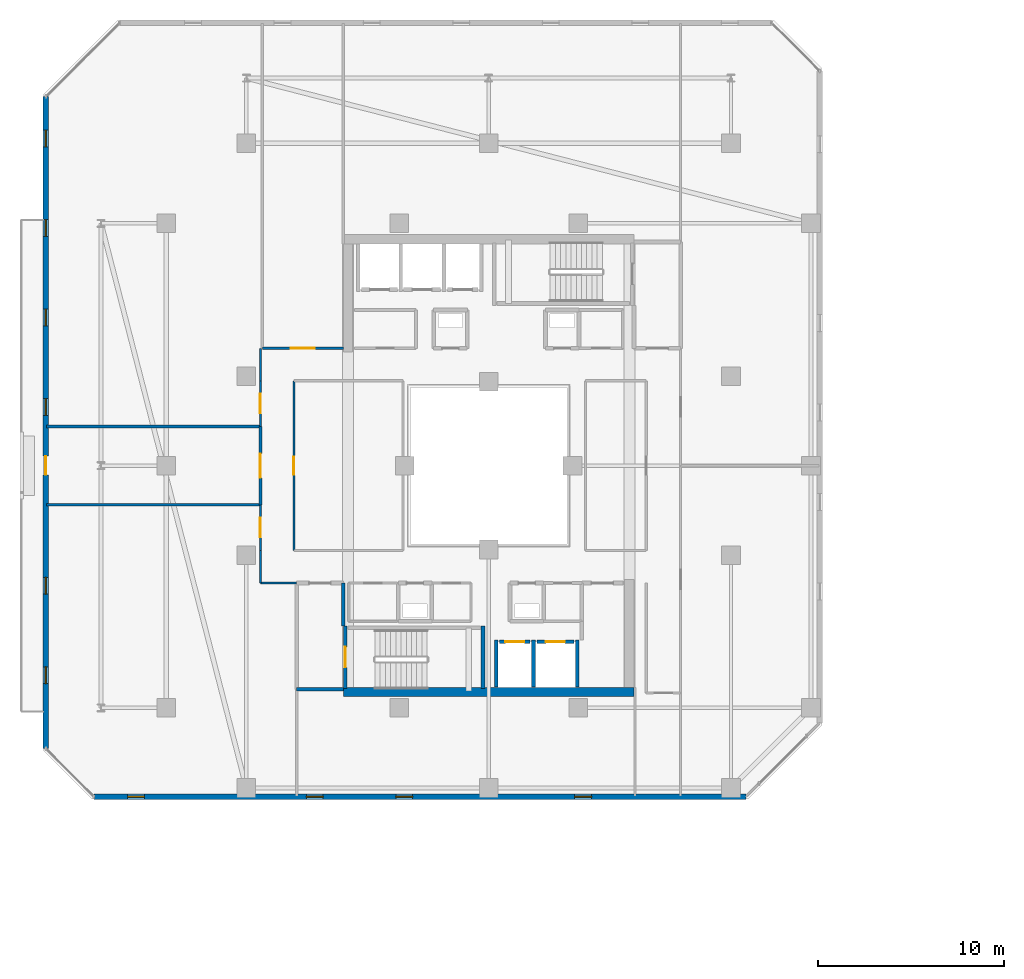
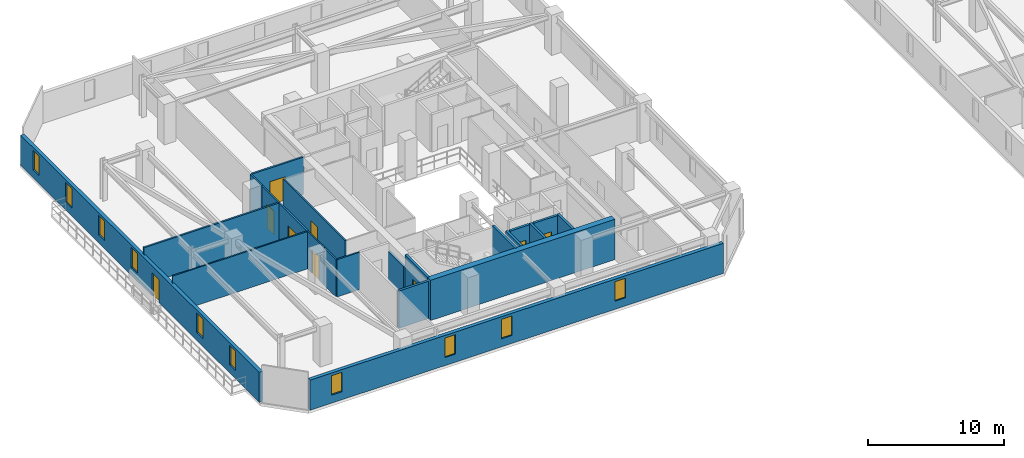
# One storey, part 19 of 33: 22 walls, 10 windows, 9 doors, 19 openings.
"""IFC4 building model written with IfcOpenShell, lengths in metres."""

import ifcopenshell
import ifcopenshell.guid

model = None  # the IFC model being written
_history = None  # IfcOwnerHistory: only IFC2X3 demands one
_inside = {}  # id of a spatial element -> (the spatial element, [elements in it])
_under = {}  # id of a project, library or spatial element -> (it, [spatial elements below it])
_declared = {}  # id of a project -> (the project, [libraries it declares])
_typed = {}  # id of a type object -> (the type object, [elements of that type])
_made_of = {}  # id of a material, layer set ... -> (it, [elements and type objects made of it])


def new_model(schema):
    """Start an empty IFC model of exactly this schema.

    Asked for "IFC4X3", IfcOpenShell would pick the latest addendum, in which some entities
    have other attributes; the version numbers below select the first issue.
    IFC2X3 requires an IfcOwnerHistory on every rooted entity: one is made here for all.
    """
    global model, _history
    if schema == "IFC4X3":
        model = ifcopenshell.file(schema_version=(4, 3, 0, 0))
    else:
        model = ifcopenshell.file(schema=schema)
    _inside.clear()
    _under.clear()
    _declared.clear()
    _typed.clear()
    _made_of.clear()
    _history = None
    if model.schema == "IFC2X3":
        org = make("IfcOrganization", Name="unknown")
        user = make(
            "IfcPersonAndOrganization",
            ThePerson=make("IfcPerson", FamilyName="unknown"),
            TheOrganization=org,
        )
        app = make(
            "IfcApplication",
            ApplicationDeveloper=org,
            Version="unknown",
            ApplicationFullName="unknown",
            ApplicationIdentifier="unknown",
        )
        _history = make(
            "IfcOwnerHistory",
            OwningUser=user,
            OwningApplication=app,
            ChangeAction="ADDED",
            CreationDate=0,
        )
    return model


def make(cls, **values):
    """One entity of the class cls with the attributes given. An attribute that is None is left unset."""
    return model.create_entity(
        cls, **{name: value for name, value in values.items() if value is not None}
    )


def rooted(cls, **values):
    """An entity with a GlobalId (a new one), such as an element, a storey or a relation."""
    return make(cls, GlobalId=ifcopenshell.guid.new(), OwnerHistory=_history, **values)


def si_unit(unit_type, name, prefix=None):
    """IfcSIUnit, for example si_unit("LENGTHUNIT", "METRE", prefix="MILLI")."""
    return make("IfcSIUnit", UnitType=unit_type, Prefix=prefix, Name=name)


def assignment(units):
    """IfcUnitAssignment: the units of a project."""
    return None if units is None else make("IfcUnitAssignment", Units=units)


def point(xyz):
    """IfcCartesianPoint."""
    return None if xyz is None else make("IfcCartesianPoint", Coordinates=xyz)


def direction(xyz):
    """IfcDirection."""
    return None if xyz is None else make("IfcDirection", DirectionRatios=xyz)


def frame(location, z_axis=None, x_axis=None):
    """IfcAxis2Placement3D, a coordinate frame: its origin and axes. An axis left out is left unset."""
    return make(
        "IfcAxis2Placement3D",
        Location=point(location),
        Axis=direction(z_axis),
        RefDirection=direction(x_axis),
    )


def frame_2d(location, x_axis=None):
    """IfcAxis2Placement2D, a coordinate frame in the plane: its origin and x axis."""
    return make(
        "IfcAxis2Placement2D", Location=point(location), RefDirection=direction(x_axis)
    )


def origin():
    """The frame at (0, 0, 0) with its axes left unset."""
    return frame((0.0, 0.0, 0.0))


def place(relative_to, where):
    """IfcLocalPlacement: puts the frame where relative to a parent placement (None: the world)."""
    return make(
        "IfcLocalPlacement", PlacementRelTo=relative_to, RelativePlacement=where
    )


def context(
    kind, dimensions, precision=None, world=None, true_north=None, identifier=None
):
    """IfcGeometricRepresentationContext, for example the 3D "Model" context."""
    return make(
        "IfcGeometricRepresentationContext",
        ContextIdentifier=identifier,
        ContextType=kind,
        CoordinateSpaceDimension=dimensions,
        Precision=precision,
        WorldCoordinateSystem=world,
        TrueNorth=true_north,
    )


def subcontext(parent, identifier, kind, view, scale=None):
    """IfcGeometricRepresentationSubContext, for example "Body" below "Model"."""
    return make(
        "IfcGeometricRepresentationSubContext",
        ContextIdentifier=identifier,
        ContextType=kind,
        ParentContext=parent,
        TargetScale=scale,
        TargetView=view,
    )


def project(units=None, contexts=None):
    """IfcProject with its units and contexts."""
    return rooted(
        "IfcProject",
        Name="project",
        RepresentationContexts=contexts,
        UnitsInContext=assignment(units),
    )


def spatial(cls, under=None, at=None, **own):
    """A site, building, storey or space (cls), placed at a placement, below another one or the project."""
    s = rooted(cls, ObjectPlacement=at, **own)
    if under is not None:
        _under.setdefault(under.id(), (under, []))[1].append(s)
    return s


def profile(cls, at=None, kind="AREA", **sizes):
    """A parametric profile (cls). Its sizes go by their IFC names, for example OverallWidth=200.0."""
    return make(cls, ProfileType=kind, Position=at, **sizes)


def rectangle(**sizes):
    """IfcRectangleProfileDef."""
    return profile("IfcRectangleProfileDef", **sizes)


def extrude(swept, where, along, depth):
    """IfcExtrudedAreaSolid: the profile swept, set in the frame where, extruded along a direction by depth."""
    return make(
        "IfcExtrudedAreaSolid",
        SweptArea=swept,
        Position=where,
        ExtrudedDirection=direction(along),
        Depth=depth,
    )


def shape(context_of_items, identifier, shape_type, items):
    """IfcShapeRepresentation: the items that make up one representation, for example the "Body"."""
    return make(
        "IfcShapeRepresentation",
        ContextOfItems=context_of_items,
        RepresentationIdentifier=identifier,
        RepresentationType=shape_type,
        Items=items,
    )


def material(Name=None, Category=None):
    """IfcMaterial."""
    return make("IfcMaterial", Name=Name, Category=Category)


def layer(
    of_material, thickness, ventilated=None, Name=None, Category=None, Priority=None
):
    """IfcMaterialLayer: one layer of a wall or slab, of a material (None: an air gap)."""
    return make(
        "IfcMaterialLayer",
        Material=of_material,
        LayerThickness=thickness,
        IsVentilated=ventilated,
        Name=Name,
        Category=Category,
        Priority=Priority,
    )


def layer_set(layers, Name=None):
    """IfcMaterialLayerSet."""
    return make("IfcMaterialLayerSet", MaterialLayers=layers, LayerSetName=Name)


def made_of(thing, what):
    """Note that an element or type object is made of a material, layer set ...; save() writes the relation."""
    if what is not None:
        _made_of.setdefault(what.id(), (what, []))[1].append(thing)
    return thing


def type_object(cls, material=None, **own):
    """A type object (cls), such as IfcWallType, which elements share."""
    return made_of(rooted(cls, **own), material)


def element(
    cls,
    number,
    at=None,
    inside=None,
    cuts=None,
    type_object=None,
    material=None,
    context=None,
    identifier="Body",
    shape_type=None,
    held_by="IfcProductDefinitionShape",
    body=None,
    shapes=None,
    **own,
):
    """One element of the class cls, such as IfcWall. Its Tag is "e" and its number.

    at: its placement. inside: the storey or other place that contains it. cuts: it is an
    opening in that element (IfcRelVoidsElement). A single representation is given by context,
    identifier, shape_type and body (its items); several are given by shapes. held_by: the class
    of the entity that holds the representations. save() writes the other relations.
    """
    e = rooted(cls, Tag="e%d" % number, ObjectPlacement=at, **own)
    if body is not None:
        shapes = [shape(context, identifier, shape_type, body)]
    if shapes is not None:
        e.Representation = make(held_by, Representations=shapes)
    if inside is not None:
        _inside.setdefault(inside.id(), (inside, []))[1].append(e)
    if cuts is not None:
        rooted(
            "IfcRelVoidsElement", RelatingBuildingElement=cuts, RelatedOpeningElement=e
        )
    if type_object is not None:
        _typed.setdefault(type_object.id(), (type_object, []))[1].append(e)
    return made_of(e, material)


def fill(opening, filler):
    """IfcRelFillsElement: the door or window that sits in an opening."""
    return rooted(
        "IfcRelFillsElement",
        RelatingOpeningElement=opening,
        RelatedBuildingElement=filler,
    )


def aggregate(whole, parts):
    """IfcRelAggregates: a whole, such as a stair, and the parts it consists of."""
    return rooted("IfcRelAggregates", RelatingObject=whole, RelatedObjects=parts)


def save(model, path):
    """Write the relations noted so far, then the file.

    IfcRelAggregates (storeys below a building ...), IfcRelContainedInSpatialStructure (elements
    in a storey), IfcRelDefinesByType, IfcRelAssociatesMaterial and IfcRelDeclares: one each for
    every whole, place, type object, material and project.
    """
    for whole, parts in _under.values():
        aggregate(whole, parts)
    for where, things in _inside.values():
        rooted(
            "IfcRelContainedInSpatialStructure",
            RelatedElements=things,
            RelatingStructure=where,
        )
    for kind, things in _typed.values():
        rooted("IfcRelDefinesByType", RelatedObjects=things, RelatingType=kind)
    for what, things in _made_of.values():
        rooted("IfcRelAssociatesMaterial", RelatedObjects=things, RelatingMaterial=what)
    for by, libraries in _declared.values():
        rooted("IfcRelDeclares", RelatingContext=by, RelatedDefinitions=libraries)
    model.write(path)


model = new_model("IFC4")

# Units and contexts
model_context = context("Model", 3, precision=1e-05, world=origin(), true_north=direction((0.0, 1.0)))
body_context = subcontext(model_context, "Body", "Model", "MODEL_VIEW")
ifc_project = project(units=[si_unit("LENGTHUNIT", "METRE"), si_unit("AREAUNIT", "SQUARE_METRE"), si_unit("VOLUMEUNIT", "CUBIC_METRE"), si_unit("PLANEANGLEUNIT", "RADIAN"), si_unit("MASSUNIT", "GRAM", prefix="KILO")], contexts=[model_context])

# Site, building, storey
site_placement = place(None, origin())
site = spatial("IfcSite", under=ifc_project, at=site_placement, CompositionType="ELEMENT")
building_placement = place(site_placement, origin())
building = spatial("IfcBuilding", under=site, at=building_placement, Name="Thornwick Lancets Civic Towers", CompositionType="ELEMENT")
storey_placement = place(building_placement, frame((0.0, 0.0, 203.699951171875)))
storey = spatial("IfcBuildingStorey", under=building, at=storey_placement, Name="L54", CompositionType="ELEMENT", Elevation=203.699951171875)

# Wall, opening, door
ifc_material_1 = material(Name="Concrete blockwork C40/50", Category="masonry")
ifc_layer_1 = layer(ifc_material_1, 0.199951171875, Name="Concrete blockwork C40/50")
ifc_layer_set_1 = layer_set([ifc_layer_1], Name="Concrete blockwork C40/50")
wall_type_1 = type_object("IfcWallType", Name="WALL_COMP_200", PredefinedType="STANDARD", material=ifc_layer_set_1)
wall_1_placement = place(storey_placement, frame((26.080078125, 17.550048828125, 0.0), z_axis=(0.0, 0.0, 1.0), x_axis=(1.0, 0.0, 0.0)))
wall_1 = element("IfcWall", 1, at=wall_1_placement, inside=storey, type_object=wall_type_1, Name="L54 Hoistway Front Wall FL-A1", PredefinedType="STANDARD", context=body_context, shape_type="SweptSolid", body=[
    extrude(rectangle(XDim=1.639892578125, YDim=0.199951171875, at=frame_2d((0.81982421875, 0.0))), origin(), (0.0, 0.0, 1.0), 3.340087890625),
])
opening_1_placement = place(wall_1_placement, frame((0.31005859375, 0.0, 0.0)))
opening_1 = element("IfcOpeningElement", 2, at=opening_1_placement, cuts=wall_1, Name="Opening LD-FL-A1", PredefinedType="OPENING", context=body_context, shape_type="SweptSolid", body=[
    extrude(rectangle(XDim=1.02001953125, YDim=2.06005859375, at=frame_2d((0.510009765625, 1.030029296875))), frame((0.0, 0.10986328125, 0.0), z_axis=(0.0, -1.0, 0.0), x_axis=(1.0, 0.0, 0.0)), (0.0, 0.0, 1.0), 0.219970703125),
])
ifc_material_2 = material(Name="Brushed bronze stainless steel", Category="steel")
door_type_1 = type_object("IfcDoorType", Name="DOOR_LIFT_SLIDE", OperationType="SLIDING_TO_LEFT", PredefinedType="DOOR", material=ifc_material_2)
door_1_placement = place(opening_1_placement, origin())
door_1 = element("IfcDoor", 3, at=door_1_placement, inside=storey, type_object=door_type_1, Name="L54 Sliding Lift Landing Door LD-FL-A1", OperationType="SLIDING_TO_LEFT", OverallHeight=2.06005859375, OverallWidth=1.02001953125, PredefinedType="DOOR", context=body_context, shape_type="SweptSolid", body=[
    extrude(rectangle(XDim=1.02001953125, YDim=2.06005859375, at=frame_2d((0.510009765625, 1.030029296875))), frame((0.0, 0.02490234375, 0.0), z_axis=(0.0, -1.0, 0.0), x_axis=(1.0, 0.0, 0.0)), (0.0, 0.0, 1.0), 0.050048828125),
])
fill(opening_1, door_1)

wall_2_placement = place(storey_placement, frame((28.080078125, 17.550048828125, 0.0), z_axis=(0.0, 0.0, 1.0), x_axis=(1.0, 0.0, 0.0)))
wall_2 = element("IfcWall", 4, at=wall_2_placement, inside=storey, type_object=wall_type_1, Name="L54 Hoistway Front Wall PL-AH1", PredefinedType="STANDARD", context=body_context, shape_type="SweptSolid", body=[
    extrude(rectangle(XDim=1.989990234375, YDim=0.199951171875, at=frame_2d((0.9951171875, 0.0))), origin(), (0.0, 0.0, 1.0), 3.340087890625),
])
opening_2_placement = place(wall_2_placement, frame((0.485107421875, 0.0, 0.0)))
opening_2 = element("IfcOpeningElement", 5, at=opening_2_placement, cuts=wall_2, Name="Opening LD-PL-AH1", PredefinedType="OPENING", context=body_context, shape_type="SweptSolid", body=[
    extrude(rectangle(XDim=1.02001953125, YDim=2.06005859375, at=frame_2d((0.510009765625, 1.030029296875))), frame((0.0, 0.10986328125, 0.0), z_axis=(0.0, -1.0, 0.0), x_axis=(1.0, 0.0, 0.0)), (0.0, 0.0, 1.0), 0.219970703125),
])
door_2_placement = place(opening_2_placement, origin())
door_2 = element("IfcDoor", 6, at=door_2_placement, inside=storey, type_object=door_type_1, Name="L54 Sliding Lift Landing Door LD-PL-AH1", OperationType="SLIDING_TO_LEFT", OverallHeight=2.06005859375, OverallWidth=1.02001953125, PredefinedType="DOOR", context=body_context, shape_type="SweptSolid", body=[
    extrude(rectangle(XDim=1.02001953125, YDim=2.06005859375, at=frame_2d((0.510009765625, 1.030029296875))), frame((0.0, 0.02490234375, 0.0), z_axis=(0.0, -1.0, 0.0), x_axis=(1.0, 0.0, 0.0)), (0.0, 0.0, 1.0), 0.050048828125),
])
fill(opening_2, door_2)

# Walls
for number, where, z_axis, x_axis, name in (
    (7, (27.89990234375, 15.112060546875, 0.0), (0.0, 0.0, 1.0), (0.0, 1.0, 0.0), "L54 Hoistway Shaft Wall FL-A1 E"),
    (8, (25.89990234375, 15.112060546875, 0.0), (0.0, 0.0, 1.0), (0.0, 1.0, 0.0), "L54 Hoistway Shaft Wall FL-A1 W"),
    (9, (30.25, 15.112060546875, 0.0), (0.0, 0.0, 1.0), (0.0, 1.0, 0.0), "L54 Hoistway Shaft Wall PL-AH1 E"),
):
    element("IfcWall", number, at=place(storey_placement, frame(where, z_axis=z_axis, x_axis=x_axis)), inside=storey, type_object=wall_type_1, Name=name, PredefinedType="STANDARD", context=body_context, shape_type="SweptSolid", body=[
        extrude(rectangle(XDim=2.535888671875, YDim=0.199951171875, at=frame_2d((1.26806640625, 0.0))), origin(), (0.0, 0.0, 1.0), 3.340087890625),
    ])
wall_3_placement = place(storey_placement, frame((15.199951171875, 15.0, 0.0), z_axis=(0.0, 0.0, 1.0), x_axis=(1.0, 0.0, 0.0)))
element("IfcWall", 10, at=wall_3_placement, inside=storey, type_object=wall_type_1, Name="L54 Partition L54-A-FFLOB1 E1", PredefinedType="STANDARD", context=body_context, shape_type="SweptSolid", body=[
    extrude(rectangle(XDim=2.5, YDim=0.199951171875, at=frame_2d((1.25, 0.0))), origin(), (0.0, 0.0, 1.0), 3.340087890625),
])
wall_4_placement = place(storey_placement, frame((17.699951171875, 18.39990234375, 0.0), z_axis=(0.0, 0.0, 1.0), x_axis=(0.0, 1.0, 0.0)))
element("IfcWall", 11, at=wall_4_placement, inside=storey, type_object=wall_type_1, Name="L54 Partition L54-A-FFLOB1 E2", PredefinedType="STANDARD", context=body_context, shape_type="SweptSolid", body=[
    extrude(rectangle(XDim=2.300048828125, YDim=0.199951171875, at=frame_2d((1.14990234375, 0.0))), origin(), (0.0, 0.0, 1.0), 2.545166015625),
])
ifc_material_3 = material(Name="Concrete C50/60", Category="concrete")
ifc_layer_2 = layer(ifc_material_3, 0.5, Name="Concrete C50/60")
ifc_layer_set_2 = layer_set([ifc_layer_2], Name="Concrete C50/60")
wall_type_2 = type_object("IfcWallType", Name="WALL_CORE_500", PredefinedType="SHEAR", material=ifc_layer_set_2)
wall_5_placement = place(storey_placement, frame((17.699951171875, 14.85009765625, 0.0), z_axis=(0.0, 0.0, 1.0), x_axis=(1.0, 0.0, 0.0)))
element("IfcWall", 12, at=wall_5_placement, inside=storey, type_object=wall_type_2, Name="L54 Split Core A1 Shear Wall S", PredefinedType="SHEAR", context=body_context, shape_type="SweptSolid", body=[
    extrude(rectangle(XDim=15.60009765625, YDim=0.5, at=frame_2d((7.800048828125, 0.0))), origin(), (0.0, 0.0, 1.0), 3.60009765625),
])

# Wall, openings, windows
ifc_material_4 = material(Name="Insulated russet terracotta rainscreen on concrete C40/50", Category="masonry")
ifc_layer_3 = layer(ifc_material_4, 0.300048828125, Name="Insulated russet terracotta rainscreen on concrete C40/50")
ifc_layer_set_3 = layer_set([ifc_layer_3], Name="Insulated russet terracotta rainscreen on concrete C40/50")
wall_type_3 = type_object("IfcWallType", Name="WALL_EXT_RUSSET_300", PredefinedType="STANDARD", material=ifc_layer_set_3)
wall_6_placement = place(storey_placement, frame((4.318603515625, 9.2353515625, 0.0), z_axis=(0.0, 0.0, 1.0), x_axis=(0.999999991209, 0.000132597301, 0.0)))
wall_6 = element("IfcWall", 13, at=wall_6_placement, inside=storey, type_object=wall_type_3, Name="L54 Tower A Terracotta Facade Wall E0", PredefinedType="STANDARD", context=body_context, shape_type="SweptSolid", body=[
    extrude(rectangle(XDim=34.983154296875, YDim=0.300048828125, at=frame_2d((17.49169921875, 0.0))), origin(), (0.0, 0.0, 1.0), 2.699951171875),
])
opening_3_placement = place(wall_6_placement, frame((1.800048828125, 0.0, 0.719970703125)))
opening_3 = element("IfcOpeningElement", 14, at=opening_3_placement, cuts=wall_6, Name="Opening WL-01", PredefinedType="OPENING", context=body_context, shape_type="SweptSolid", body=[
    extrude(rectangle(XDim=0.89990234375, YDim=1.75, at=frame_2d((0.449951171875, 0.875))), frame((0.0, 0.16015625, 0.0), z_axis=(0.0, -1.0, 0.0), x_axis=(1.0, 0.0, 0.0)), (0.0, 0.0, 1.0), 0.320068359375),
])
opening_4_placement = place(wall_6_placement, frame((11.39990234375, 0.0, 0.719970703125)))
opening_4 = element("IfcOpeningElement", 15, at=opening_4_placement, cuts=wall_6, Name="Opening WL-01", PredefinedType="OPENING", context=body_context, shape_type="SweptSolid", body=[
    extrude(rectangle(XDim=0.89990234375, YDim=1.75, at=frame_2d((0.449951171875, 0.875))), frame((0.0, 0.16015625, 0.0), z_axis=(0.0, -1.0, 0.0), x_axis=(1.0, 0.0, 0.0)), (0.0, 0.0, 1.0), 0.320068359375),
])
opening_5_placement = place(wall_6_placement, frame((16.199951171875, 0.0, 0.719970703125)))
opening_5 = element("IfcOpeningElement", 16, at=opening_5_placement, cuts=wall_6, Name="Opening WL-01", PredefinedType="OPENING", context=body_context, shape_type="SweptSolid", body=[
    extrude(rectangle(XDim=0.89990234375, YDim=1.75, at=frame_2d((0.449951171875, 0.875))), frame((0.0, 0.16015625, 0.0), z_axis=(0.0, -1.0, 0.0), x_axis=(1.0, 0.0, 0.0)), (0.0, 0.0, 1.0), 0.320068359375),
])
opening_6_placement = place(wall_6_placement, frame((25.800048828125, 0.0, 0.719970703125)))
opening_6 = element("IfcOpeningElement", 17, at=opening_6_placement, cuts=wall_6, Name="Opening WL-01", PredefinedType="OPENING", context=body_context, shape_type="SweptSolid", body=[
    extrude(rectangle(XDim=0.89990234375, YDim=1.75, at=frame_2d((0.449951171875, 0.875))), frame((0.0, 0.16015625, 0.0), z_axis=(0.0, -1.0, 0.0), x_axis=(1.0, 0.0, 0.0)), (0.0, 0.0, 1.0), 0.320068359375),
])
ifc_material_5 = material(Name="Clear low-e double glazing in bronze frame", Category="glass")
window_type = type_object("IfcWindowType", Name="WIN_LANCET_900", PartitioningType="SINGLE_PANEL", PredefinedType="WINDOW", material=ifc_material_5)
window_1_placement = place(opening_3_placement, origin())
window_1 = element("IfcWindow", 18, at=window_1_placement, inside=storey, type_object=window_type, Name="L54 Tower A Staggered Lancet Window E0-1", OverallHeight=1.75, OverallWidth=0.89990234375, PartitioningType="SINGLE_PANEL", PredefinedType="WINDOW", context=body_context, shape_type="SweptSolid", body=[
    extrude(rectangle(XDim=0.89990234375, YDim=1.75, at=frame_2d((0.449951171875, 0.875))), frame((0.0, 0.030029296875, 0.0), z_axis=(0.0, -1.0, 0.0), x_axis=(1.0, 0.0, 0.0)), (0.0, 0.0, 1.0), 0.06005859375),
])
fill(opening_3, window_1)
window_2_placement = place(opening_4_placement, origin())
window_2 = element("IfcWindow", 19, at=window_2_placement, inside=storey, type_object=window_type, Name="L54 Tower A Staggered Lancet Window E0-2", OverallHeight=1.75, OverallWidth=0.89990234375, PartitioningType="SINGLE_PANEL", PredefinedType="WINDOW", context=body_context, shape_type="SweptSolid", body=[
    extrude(rectangle(XDim=0.89990234375, YDim=1.75, at=frame_2d((0.449951171875, 0.875))), frame((0.0, 0.030029296875, 0.0), z_axis=(0.0, -1.0, 0.0), x_axis=(1.0, 0.0, 0.0)), (0.0, 0.0, 1.0), 0.06005859375),
])
fill(opening_4, window_2)
window_3_placement = place(opening_5_placement, origin())
window_3 = element("IfcWindow", 20, at=window_3_placement, inside=storey, type_object=window_type, Name="L54 Tower A Staggered Lancet Window E0-3", OverallHeight=1.75, OverallWidth=0.89990234375, PartitioningType="SINGLE_PANEL", PredefinedType="WINDOW", context=body_context, shape_type="SweptSolid", body=[
    extrude(rectangle(XDim=0.89990234375, YDim=1.75, at=frame_2d((0.449951171875, 0.875))), frame((0.0, 0.030029296875, 0.0), z_axis=(0.0, -1.0, 0.0), x_axis=(1.0, 0.0, 0.0)), (0.0, 0.0, 1.0), 0.06005859375),
])
fill(opening_5, window_3)
window_4_placement = place(opening_6_placement, origin())
window_4 = element("IfcWindow", 21, at=window_4_placement, inside=storey, type_object=window_type, Name="L54 Tower A Staggered Lancet Window E0-4", OverallHeight=1.75, OverallWidth=0.89990234375, PartitioningType="SINGLE_PANEL", PredefinedType="WINDOW", context=body_context, shape_type="SweptSolid", body=[
    extrude(rectangle(XDim=0.89990234375, YDim=1.75, at=frame_2d((0.449951171875, 0.875))), frame((0.0, 0.030029296875, 0.0), z_axis=(0.0, -1.0, 0.0), x_axis=(1.0, 0.0, 0.0)), (0.0, 0.0, 1.0), 0.06005859375),
])
fill(opening_6, window_4)

# Wall, openings, door, windows
wall_7_placement = place(storey_placement, frame((1.739990234375, 46.8017578125, 0.0), z_axis=(0.0, 0.0, 1.0), x_axis=(-0.000132597301, -0.999999991209, 0.0)))
wall_7 = element("IfcWall", 22, at=wall_7_placement, inside=storey, type_object=wall_type_3, Name="L54 Tower A Terracotta Facade Wall E6", PredefinedType="STANDARD", context=body_context, shape_type="SweptSolid", body=[
    extrude(rectangle(XDim=34.983154296875, YDim=0.300048828125, at=frame_2d((17.49169921875, 0.0))), origin(), (0.0, 0.0, 1.0), 2.699951171875),
])
opening_7_placement = place(wall_7_placement, frame((19.29150390625, 0.0, 0.0)))
opening_7 = element("IfcOpeningElement", 23, at=opening_7_placement, cuts=wall_7, Name="Opening D-BL-L54-AW", PredefinedType="OPENING", context=body_context, shape_type="SweptSolid", body=[
    extrude(rectangle(XDim=1.0, YDim=2.080078125, at=frame_2d((0.5, 1.0400390625))), frame((0.0, 0.16015625, 0.0), z_axis=(0.0, -1.0, 0.0), x_axis=(1.0, 0.0, 0.0)), (0.0, 0.0, 1.0), 0.320068359375),
])
opening_8_placement = place(wall_7_placement, frame((1.800048828125, 0.0, 0.719970703125)))
opening_8 = element("IfcOpeningElement", 24, at=opening_8_placement, cuts=wall_7, Name="Opening WL-01", PredefinedType="OPENING", context=body_context, shape_type="SweptSolid", body=[
    extrude(rectangle(XDim=0.89990234375, YDim=1.75, at=frame_2d((0.449951171875, 0.875))), frame((0.0, 0.16015625, 0.0), z_axis=(0.0, -1.0, 0.0), x_axis=(1.0, 0.0, 0.0)), (0.0, 0.0, 1.0), 0.320068359375),
])
opening_9_placement = place(wall_7_placement, frame((6.60009765625, 0.0, 0.719970703125)))
opening_9 = element("IfcOpeningElement", 25, at=opening_9_placement, cuts=wall_7, Name="Opening WL-01", PredefinedType="OPENING", context=body_context, shape_type="SweptSolid", body=[
    extrude(rectangle(XDim=0.89990234375, YDim=1.75, at=frame_2d((0.449951171875, 0.875))), frame((0.0, 0.16015625, 0.0), z_axis=(0.0, -1.0, 0.0), x_axis=(1.0, 0.0, 0.0)), (0.0, 0.0, 1.0), 0.320068359375),
])
opening_10_placement = place(wall_7_placement, frame((11.39990234375, 0.0, 0.719970703125)))
opening_10 = element("IfcOpeningElement", 26, at=opening_10_placement, cuts=wall_7, Name="Opening WL-01", PredefinedType="OPENING", context=body_context, shape_type="SweptSolid", body=[
    extrude(rectangle(XDim=0.89990234375, YDim=1.75, at=frame_2d((0.449951171875, 0.875))), frame((0.0, 0.16015625, 0.0), z_axis=(0.0, -1.0, 0.0), x_axis=(1.0, 0.0, 0.0)), (0.0, 0.0, 1.0), 0.320068359375),
])
opening_11_placement = place(wall_7_placement, frame((16.199951171875, 0.0, 0.719970703125)))
opening_11 = element("IfcOpeningElement", 27, at=opening_11_placement, cuts=wall_7, Name="Opening WL-01", PredefinedType="OPENING", context=body_context, shape_type="SweptSolid", body=[
    extrude(rectangle(XDim=0.89990234375, YDim=1.75, at=frame_2d((0.449951171875, 0.875))), frame((0.0, 0.16015625, 0.0), z_axis=(0.0, -1.0, 0.0), x_axis=(1.0, 0.0, 0.0)), (0.0, 0.0, 1.0), 0.320068359375),
])
opening_12_placement = place(wall_7_placement, frame((25.800048828125, 0.0, 0.719970703125)))
opening_12 = element("IfcOpeningElement", 28, at=opening_12_placement, cuts=wall_7, Name="Opening WL-01", PredefinedType="OPENING", context=body_context, shape_type="SweptSolid", body=[
    extrude(rectangle(XDim=0.89990234375, YDim=1.75, at=frame_2d((0.449951171875, 0.875))), frame((0.0, 0.16015625, 0.0), z_axis=(0.0, -1.0, 0.0), x_axis=(1.0, 0.0, 0.0)), (0.0, 0.0, 1.0), 0.320068359375),
])
opening_13_placement = place(wall_7_placement, frame((30.60009765625, 0.0, 0.719970703125)))
opening_13 = element("IfcOpeningElement", 29, at=opening_13_placement, cuts=wall_7, Name="Opening WL-01", PredefinedType="OPENING", context=body_context, shape_type="SweptSolid", body=[
    extrude(rectangle(XDim=0.89990234375, YDim=1.75, at=frame_2d((0.449951171875, 0.875))), frame((0.0, 0.16015625, 0.0), z_axis=(0.0, -1.0, 0.0), x_axis=(1.0, 0.0, 0.0)), (0.0, 0.0, 1.0), 0.320068359375),
])
ifc_material_6 = material(Name="Thermally broken glazed loggia doorset")
door_type_2 = type_object("IfcDoorType", Name="DOOR_BALC_1000", OperationType="NOTDEFINED", PredefinedType="DOOR", material=ifc_material_6)
door_3_placement = place(opening_7_placement, origin())
door_3 = element("IfcDoor", 30, at=door_3_placement, inside=storey, type_object=door_type_2, Name="L54 Tower A Loggia Balcony Door W", OperationType="SINGLE_SWING_LEFT", OverallHeight=2.080078125, OverallWidth=1.0, PredefinedType="DOOR", context=body_context, shape_type="SweptSolid", body=[
    extrude(rectangle(XDim=1.0, YDim=2.080078125, at=frame_2d((0.5, 1.0400390625))), frame((0.0, 0.02490234375, 0.0), z_axis=(0.0, -1.0, 0.0), x_axis=(1.0, 0.0, 0.0)), (0.0, 0.0, 1.0), 0.050048828125),
])
fill(opening_7, door_3)
window_5_placement = place(opening_8_placement, origin())
window_5 = element("IfcWindow", 31, at=window_5_placement, inside=storey, type_object=window_type, Name="L54 Tower A Staggered Lancet Window E6-1", OverallHeight=1.75, OverallWidth=0.89990234375, PartitioningType="SINGLE_PANEL", PredefinedType="WINDOW", context=body_context, shape_type="SweptSolid", body=[
    extrude(rectangle(XDim=0.89990234375, YDim=1.75, at=frame_2d((0.449951171875, 0.875))), frame((0.0, 0.030029296875, 0.0), z_axis=(0.0, -1.0, 0.0), x_axis=(1.0, 0.0, 0.0)), (0.0, 0.0, 1.0), 0.06005859375),
])
fill(opening_8, window_5)
window_6_placement = place(opening_9_placement, origin())
window_6 = element("IfcWindow", 32, at=window_6_placement, inside=storey, type_object=window_type, Name="L54 Tower A Staggered Lancet Window E6-2", OverallHeight=1.75, OverallWidth=0.89990234375, PartitioningType="SINGLE_PANEL", PredefinedType="WINDOW", context=body_context, shape_type="SweptSolid", body=[
    extrude(rectangle(XDim=0.89990234375, YDim=1.75, at=frame_2d((0.449951171875, 0.875))), frame((0.0, 0.030029296875, 0.0), z_axis=(0.0, -1.0, 0.0), x_axis=(1.0, 0.0, 0.0)), (0.0, 0.0, 1.0), 0.06005859375),
])
fill(opening_9, window_6)
window_7_placement = place(opening_10_placement, origin())
window_7 = element("IfcWindow", 33, at=window_7_placement, inside=storey, type_object=window_type, Name="L54 Tower A Staggered Lancet Window E6-3", OverallHeight=1.75, OverallWidth=0.89990234375, PartitioningType="SINGLE_PANEL", PredefinedType="WINDOW", context=body_context, shape_type="SweptSolid", body=[
    extrude(rectangle(XDim=0.89990234375, YDim=1.75, at=frame_2d((0.449951171875, 0.875))), frame((0.0, 0.030029296875, 0.0), z_axis=(0.0, -1.0, 0.0), x_axis=(1.0, 0.0, 0.0)), (0.0, 0.0, 1.0), 0.06005859375),
])
fill(opening_10, window_7)
window_8_placement = place(opening_11_placement, origin())
window_8 = element("IfcWindow", 34, at=window_8_placement, inside=storey, type_object=window_type, Name="L54 Tower A Staggered Lancet Window E6-4", OverallHeight=1.75, OverallWidth=0.89990234375, PartitioningType="SINGLE_PANEL", PredefinedType="WINDOW", context=body_context, shape_type="SweptSolid", body=[
    extrude(rectangle(XDim=0.89990234375, YDim=1.75, at=frame_2d((0.449951171875, 0.875))), frame((0.0, 0.030029296875, 0.0), z_axis=(0.0, -1.0, 0.0), x_axis=(1.0, 0.0, 0.0)), (0.0, 0.0, 1.0), 0.06005859375),
])
fill(opening_11, window_8)
window_9_placement = place(opening_12_placement, origin())
window_9 = element("IfcWindow", 35, at=window_9_placement, inside=storey, type_object=window_type, Name="L54 Tower A Staggered Lancet Window E6-5", OverallHeight=1.75, OverallWidth=0.89990234375, PartitioningType="SINGLE_PANEL", PredefinedType="WINDOW", context=body_context, shape_type="SweptSolid", body=[
    extrude(rectangle(XDim=0.89990234375, YDim=1.75, at=frame_2d((0.449951171875, 0.875))), frame((0.0, 0.030029296875, 0.0), z_axis=(0.0, -1.0, 0.0), x_axis=(1.0, 0.0, 0.0)), (0.0, 0.0, 1.0), 0.06005859375),
])
fill(opening_12, window_9)
window_10_placement = place(opening_13_placement, origin())
window_10 = element("IfcWindow", 36, at=window_10_placement, inside=storey, type_object=window_type, Name="L54 Tower A Staggered Lancet Window E6-6", OverallHeight=1.75, OverallWidth=0.89990234375, PartitioningType="SINGLE_PANEL", PredefinedType="WINDOW", context=body_context, shape_type="SweptSolid", body=[
    extrude(rectangle(XDim=0.89990234375, YDim=1.75, at=frame_2d((0.449951171875, 0.875))), frame((0.0, 0.030029296875, 0.0), z_axis=(0.0, -1.0, 0.0), x_axis=(1.0, 0.0, 0.0)), (0.0, 0.0, 1.0), 0.06005859375),
])
fill(opening_13, window_10)

# Wall
ifc_material_7 = material(Name="Acoustic gypsum board partition")
ifc_layer_4 = layer(ifc_material_7, 0.1201171875, Name="Acoustic gypsum board partition")
ifc_layer_set_4 = layer_set([ifc_layer_4], Name="Acoustic gypsum board partition")
wall_type_4 = type_object("IfcWallType", Name="WALL_PART_120", PredefinedType="PARTITIONING", material=ifc_layer_set_4)
wall_8_placement = place(storey_placement, frame((1.780029296875, 24.89990234375, 0.0), z_axis=(0.0, 0.0, 1.0), x_axis=(1.0, 0.0, 0.0)))
element("IfcWall", 37, at=wall_8_placement, inside=storey, type_object=wall_type_4, Name="L54 Partition L54-A-W1 E2", PredefinedType="PARTITIONING", context=body_context, shape_type="SweptSolid", body=[
    extrude(rectangle(XDim=11.469970703125, YDim=0.1201171875, at=frame_2d((5.73486328125, 0.0))), origin(), (0.0, 0.0, 1.0), 3.340087890625),
])

# Wall, opening, door
wall_9_placement = place(storey_placement, frame((13.25, 24.89990234375, 0.0), z_axis=(0.0, 0.0, 1.0), x_axis=(0.0, -1.0, 0.0)))
wall_9 = element("IfcWall", 38, at=wall_9_placement, inside=storey, type_object=wall_type_4, Name="L54 Partition L54-A-W1 E3", PredefinedType="PARTITIONING", context=body_context, shape_type="SweptSolid", body=[
    extrude(rectangle(XDim=2.449951171875, YDim=0.1201171875, at=frame_2d((1.22509765625, 0.0))), origin(), (0.0, 0.0, 1.0), 3.340087890625),
])
opening_14_placement = place(wall_9_placement, frame((0.699951171875, 0.0, 0.0)))
opening_14 = element("IfcOpeningElement", 39, at=opening_14_placement, cuts=wall_9, Name="Opening D-L54-2413", PredefinedType="OPENING", context=body_context, shape_type="SweptSolid", body=[
    extrude(rectangle(XDim=1.050048828125, YDim=2.10009765625, at=frame_2d((0.52490234375, 1.050048828125))), frame((0.0, 0.070068359375, 0.0), z_axis=(0.0, -1.0, 0.0), x_axis=(1.0, 0.0, 0.0)), (0.0, 0.0, 1.0), 0.14013671875),
])
ifc_material_8 = material(Name="Glazed European oak executive doorset")
door_type_3 = type_object("IfcDoorType", Name="DOOR_OFFICE_1050", OperationType="NOTDEFINED", PredefinedType="DOOR", material=ifc_material_8)
door_4_placement = place(opening_14_placement, origin())
door_4 = element("IfcDoor", 40, at=door_4_placement, inside=storey, type_object=door_type_3, Name="L54 Tower A Ministry Directorate Office W1 Door", OperationType="SINGLE_SWING_RIGHT", OverallHeight=2.10009765625, OverallWidth=1.050048828125, PredefinedType="DOOR", context=body_context, shape_type="SweptSolid", body=[
    extrude(rectangle(XDim=1.050048828125, YDim=2.10009765625, at=frame_2d((0.52490234375, 1.050048828125))), frame((0.0, 0.02490234375, 0.0), z_axis=(0.0, -1.0, 0.0), x_axis=(1.0, 0.0, 0.0)), (0.0, 0.0, 1.0), 0.050048828125),
])
fill(opening_14, door_4)

# Walls
wall_10_placement = place(storey_placement, frame((13.25, 22.449951171875, 0.0), z_axis=(0.0, 0.0, 1.0), x_axis=(0.0, -1.0, 0.0)))
element("IfcWall", 41, at=wall_10_placement, inside=storey, type_object=wall_type_4, Name="L54 Partition L54-A-W1 E4", PredefinedType="PARTITIONING", context=body_context, shape_type="SweptSolid", body=[
    extrude(rectangle(XDim=1.75, YDim=0.1201171875, at=frame_2d((0.875, 0.0))), origin(), (0.0, 0.0, 1.0), 3.340087890625),
])
wall_11_placement = place(storey_placement, frame((13.25, 20.699951171875, 0.0), z_axis=(0.0, 0.0, 1.0), x_axis=(1.0, 0.0, 0.0)))
element("IfcWall", 42, at=wall_11_placement, inside=storey, type_object=wall_type_4, Name="L54 Partition L54-A-W1 E5", PredefinedType="PARTITIONING", context=body_context, shape_type="SweptSolid", body=[
    extrude(rectangle(XDim=1.949951171875, YDim=0.1201171875, at=frame_2d((0.97509765625, 0.0))), origin(), (0.0, 0.0, 1.0), 3.340087890625),
])
wall_12_placement = place(storey_placement, frame((13.25, 33.300048828125, 0.0), z_axis=(0.0, 0.0, 1.0), x_axis=(0.0, -1.0, 0.0)))
element("IfcWall", 43, at=wall_12_placement, inside=storey, type_object=wall_type_4, Name="L54 Partition L54-A-W2B E5", PredefinedType="PARTITIONING", context=body_context, shape_type="SweptSolid", body=[
    extrude(rectangle(XDim=1.75, YDim=0.1201171875, at=frame_2d((0.875, 0.0))), origin(), (0.0, 0.0, 1.0), 3.340087890625),
])

# Wall, opening, door
wall_13_placement = place(storey_placement, frame((13.25, 31.550048828125, 0.0), z_axis=(0.0, 0.0, 1.0), x_axis=(0.0, -1.0, 0.0)))
wall_13 = element("IfcWall", 44, at=wall_13_placement, inside=storey, type_object=wall_type_4, Name="L54 Partition L54-A-W2B E6", PredefinedType="PARTITIONING", context=body_context, shape_type="SweptSolid", body=[
    extrude(rectangle(XDim=2.449951171875, YDim=0.1201171875, at=frame_2d((1.22509765625, 0.0))), origin(), (0.0, 0.0, 1.0), 3.340087890625),
])
opening_15_placement = place(wall_13_placement, frame((0.699951171875, 0.0, 0.0)))
opening_15 = element("IfcOpeningElement", 45, at=opening_15_placement, cuts=wall_13, Name="Opening D-L54-2415", PredefinedType="OPENING", context=body_context, shape_type="SweptSolid", body=[
    extrude(rectangle(XDim=1.050048828125, YDim=2.10009765625, at=frame_2d((0.52490234375, 1.050048828125))), frame((0.0, 0.070068359375, 0.0), z_axis=(0.0, -1.0, 0.0), x_axis=(1.0, 0.0, 0.0)), (0.0, 0.0, 1.0), 0.14013671875),
])
door_5_placement = place(opening_15_placement, origin())
door_5 = element("IfcDoor", 46, at=door_5_placement, inside=storey, type_object=door_type_3, Name="L54 Tower A Parliamentary Casework Suite W2B Door", OperationType="SINGLE_SWING_RIGHT", OverallHeight=2.10009765625, OverallWidth=1.050048828125, PredefinedType="DOOR", context=body_context, shape_type="SweptSolid", body=[
    extrude(rectangle(XDim=1.050048828125, YDim=2.10009765625, at=frame_2d((0.52490234375, 1.050048828125))), frame((0.0, 0.02490234375, 0.0), z_axis=(0.0, -1.0, 0.0), x_axis=(1.0, 0.0, 0.0)), (0.0, 0.0, 1.0), 0.050048828125),
])
fill(opening_15, door_5)

wall_14_placement = place(storey_placement, frame((15.050048828125, 22.449951171875, 0.0), z_axis=(0.0, 0.0, 1.0), x_axis=(0.0, 1.0, 0.0)))
wall_14 = element("IfcWall", 47, at=wall_14_placement, inside=storey, type_object=wall_type_4, Name="L54 Partition L54-A-W3 E1", PredefinedType="PARTITIONING", context=body_context, shape_type="SweptSolid", body=[
    extrude(rectangle(XDim=9.10009765625, YDim=0.1201171875, at=frame_2d((4.550048828125, 0.0))), origin(), (0.0, 0.0, 1.0), 3.340087890625),
])
opening_16_placement = place(wall_14_placement, frame((4.074951171875, 0.0, 0.0)))
opening_16 = element("IfcOpeningElement", 48, at=opening_16_placement, cuts=wall_14, Name="Opening D-L54-2416", PredefinedType="OPENING", context=body_context, shape_type="SweptSolid", body=[
    extrude(rectangle(XDim=0.949951171875, YDim=2.10009765625, at=frame_2d((0.47509765625, 1.050048828125))), frame((0.0, 0.070068359375, 0.0), z_axis=(0.0, -1.0, 0.0), x_axis=(1.0, 0.0, 0.0)), (0.0, 0.0, 1.0), 0.14013671875),
])
ifc_material_9 = material(Name="European oak acoustic doorset")
door_type_4 = type_object("IfcDoorType", Name="DOOR_OFFICE_950", OperationType="NOTDEFINED", PredefinedType="DOOR", material=ifc_material_9)
door_6_placement = place(opening_16_placement, origin())
door_6 = element("IfcDoor", 49, at=door_6_placement, inside=storey, type_object=door_type_4, Name="L54 Tower A West Atrium Gallery Suite Door", OperationType="SINGLE_SWING_LEFT", OverallHeight=2.10009765625, OverallWidth=0.949951171875, PredefinedType="DOOR", context=body_context, shape_type="SweptSolid", body=[
    extrude(rectangle(XDim=0.949951171875, YDim=2.10009765625, at=frame_2d((0.47509765625, 1.050048828125))), frame((0.0, 0.02490234375, 0.0), z_axis=(0.0, -1.0, 0.0), x_axis=(1.0, 0.0, 0.0)), (0.0, 0.0, 1.0), 0.050048828125),
])
fill(opening_16, door_6)

ifc_material_10 = material(Name="Twin-stud acoustic gypsum board")
ifc_layer_5 = layer(ifc_material_10, 0.14990234375, Name="Twin-stud acoustic gypsum board")
ifc_layer_set_5 = layer_set([ifc_layer_5], Name="Twin-stud acoustic gypsum board")
wall_type_5 = type_object("IfcWallType", Name="WALL_PART_150", PredefinedType="PARTITIONING", material=ifc_layer_set_5)
wall_15_placement = place(storey_placement, frame((17.699951171875, 33.300048828125, 0.0), z_axis=(0.0, 0.0, 1.0), x_axis=(-1.0, 0.0, 0.0)))
wall_15 = element("IfcWall", 50, at=wall_15_placement, inside=storey, type_object=wall_type_5, Name="L54 Partition L54-A-RECLAIM-M1 E4", PredefinedType="PARTITIONING", context=body_context, shape_type="SweptSolid", body=[
    extrude(rectangle(XDim=4.349853515625, YDim=0.14990234375, at=frame_2d((2.1748046875, 0.0))), origin(), (0.0, 0.0, 1.0), 3.340087890625),
])
opening_17_placement = place(wall_15_placement, frame((1.52490234375, 0.0, 0.0)))
opening_17 = element("IfcOpeningElement", 51, at=opening_17_placement, cuts=wall_15, Name="Opening D-L54-2412", PredefinedType="OPENING", context=body_context, shape_type="SweptSolid", body=[
    extrude(rectangle(XDim=1.300048828125, YDim=2.1201171875, at=frame_2d((0.64990234375, 1.06005859375))), frame((0.0, 0.0849609375, 0.0), z_axis=(0.0, -1.0, 0.0), x_axis=(1.0, 0.0, 0.0)), (0.0, 0.0, 1.0), 0.169921875),
])
ifc_material_11 = material(Name="Acoustic oak leaf-and-a-half doorset")
door_type_5 = type_object("IfcDoorType", Name="DOOR_MEET_1300", OperationType="DOUBLE_DOOR_SINGLE_SWING", PredefinedType="DOOR", material=ifc_material_11)
door_7_placement = place(opening_17_placement, origin())
door_7 = element("IfcDoor", 52, at=door_7_placement, inside=storey, type_object=door_type_5, Name="L54 Tower A Diplomatic Conference Suite Door", OperationType="DOUBLE_DOOR_SINGLE_SWING", OverallHeight=2.1201171875, OverallWidth=1.300048828125, PredefinedType="DOOR", context=body_context, shape_type="SweptSolid", body=[
    extrude(rectangle(XDim=1.300048828125, YDim=2.1201171875, at=frame_2d((0.64990234375, 1.06005859375))), frame((0.0, 0.02490234375, 0.0), z_axis=(0.0, -1.0, 0.0), x_axis=(1.0, 0.0, 0.0)), (0.0, 0.0, 1.0), 0.050048828125),
])
fill(opening_17, door_7)

# Wall
wall_16_placement = place(storey_placement, frame((1.780029296875, 29.10009765625, 0.0), z_axis=(0.0, 0.0, 1.0), x_axis=(1.0, 0.0, 0.0)))
element("IfcWall", 53, at=wall_16_placement, inside=storey, type_object=wall_type_5, Name="L54 Partition L54-A-W2 E3", PredefinedType="PARTITIONING", context=body_context, shape_type="SweptSolid", body=[
    extrude(rectangle(XDim=11.469970703125, YDim=0.14990234375, at=frame_2d((5.73486328125, 0.0))), origin(), (0.0, 0.0, 1.0), 3.340087890625),
])

# Wall, opening, door
wall_17_placement = place(storey_placement, frame((13.25, 29.10009765625, 0.0), z_axis=(0.0, 0.0, 1.0), x_axis=(0.0, -1.0, 0.0)))
wall_17 = element("IfcWall", 54, at=wall_17_placement, inside=storey, type_object=wall_type_5, Name="L54 Partition L54-A-W2 E4", PredefinedType="PARTITIONING", context=body_context, shape_type="SweptSolid", body=[
    extrude(rectangle(XDim=4.2001953125, YDim=0.14990234375, at=frame_2d((2.10009765625, 0.0))), origin(), (0.0, 0.0, 1.0), 3.340087890625),
])
opening_18_placement = place(wall_17_placement, frame((1.449951171875, 0.0, 0.0)))
opening_18 = element("IfcOpeningElement", 55, at=opening_18_placement, cuts=wall_17, Name="Opening D-L54-2414", PredefinedType="OPENING", context=body_context, shape_type="SweptSolid", body=[
    extrude(rectangle(XDim=1.300048828125, YDim=2.1201171875, at=frame_2d((0.64990234375, 1.06005859375))), frame((0.0, 0.0849609375, 0.0), z_axis=(0.0, -1.0, 0.0), x_axis=(1.0, 0.0, 0.0)), (0.0, 0.0, 1.0), 0.169921875),
])
door_8_placement = place(opening_18_placement, origin())
door_8 = element("IfcDoor", 56, at=door_8_placement, inside=storey, type_object=door_type_5, Name="L54 Tower A Policy Briefing Room W2 Door", OperationType="DOUBLE_DOOR_SINGLE_SWING", OverallHeight=2.1201171875, OverallWidth=1.300048828125, PredefinedType="DOOR", context=body_context, shape_type="SweptSolid", body=[
    extrude(rectangle(XDim=1.300048828125, YDim=2.1201171875, at=frame_2d((0.64990234375, 1.06005859375))), frame((0.0, 0.02490234375, 0.0), z_axis=(0.0, -1.0, 0.0), x_axis=(1.0, 0.0, 0.0)), (0.0, 0.0, 1.0), 0.050048828125),
])
fill(opening_18, door_8)

ifc_material_12 = material(Name="Concrete C40/50", Category="concrete")
ifc_layer_6 = layer(ifc_material_12, 0.199951171875, Name="Concrete C40/50")
ifc_layer_set_6 = layer_set([ifc_layer_6], Name="Concrete C40/50")
wall_type_6 = type_object("IfcWallType", Name="WALL_SHAFT_200", PredefinedType="SHEAR", material=ifc_layer_set_6)
wall_18_placement = place(storey_placement, frame((17.800048828125, 15.050048828125, 0.0), z_axis=(0.0, 0.0, 1.0), x_axis=(0.0, 1.0, 0.0)))
wall_18 = element("IfcWall", 57, at=wall_18_placement, inside=storey, type_object=wall_type_6, Name="L54 ST-A1 Fire Stair Core Wall NEAR", PredefinedType="SHEAR", context=body_context, shape_type="SweptSolid", body=[
    extrude(rectangle(XDim=3.349853515625, YDim=0.199951171875, at=frame_2d((1.6748046875, 0.0))), origin(), (0.0, 0.0, 1.0), 3.60009765625),
])
opening_19_placement = place(wall_18_placement, frame((1.125, 0.0, 0.0)))
opening_19 = element("IfcOpeningElement", 58, at=opening_19_placement, cuts=wall_18, Name="Opening D-ST-A1-L54", PredefinedType="OPENING", context=body_context, shape_type="SweptSolid", body=[
    extrude(rectangle(XDim=1.10009765625, YDim=2.10009765625, at=frame_2d((0.550048828125, 1.050048828125))), frame((0.0, 0.10986328125, 0.0), z_axis=(0.0, -1.0, 0.0), x_axis=(1.0, 0.0, 0.0)), (0.0, 0.0, 1.0), 0.219970703125),
])
ifc_material_13 = material(Name="Fire-resisting steel and hardwood", Category="steel")
door_type_6 = type_object("IfcDoorType", Name="DOOR_STAIR_FD60", OperationType="NOTDEFINED", PredefinedType="DOOR", material=ifc_material_13)
door_9_placement = place(opening_19_placement, origin())
door_9 = element("IfcDoor", 59, at=door_9_placement, inside=storey, type_object=door_type_6, Name="L54 ST-A1 Exit Stair Door", OperationType="SINGLE_SWING_RIGHT", OverallHeight=2.10009765625, OverallWidth=1.10009765625, PredefinedType="DOOR", context=body_context, shape_type="SweptSolid", body=[
    extrude(rectangle(XDim=1.10009765625, YDim=2.10009765625, at=frame_2d((0.550048828125, 1.050048828125))), frame((0.0, 0.02490234375, 0.0), z_axis=(0.0, -1.0, 0.0), x_axis=(1.0, 0.0, 0.0)), (0.0, 0.0, 1.0), 0.050048828125),
])
fill(opening_19, door_9)

# Wall
wall_19_placement = place(storey_placement, frame((25.199951171875, 18.39990234375, 0.0), z_axis=(0.0, 0.0, 1.0), x_axis=(0.0, -1.0, 0.0)))
element("IfcWall", 60, at=wall_19_placement, inside=storey, type_object=wall_type_6, Name="L54 ST-A1 Fire Stair Core Wall FAR", PredefinedType="SHEAR", context=body_context, shape_type="SweptSolid", body=[
    extrude(rectangle(XDim=3.349853515625, YDim=0.199951171875, at=frame_2d((1.6748046875, 0.0))), origin(), (0.0, 0.0, 1.0), 3.60009765625),
])

save(model, "model.ifc")
